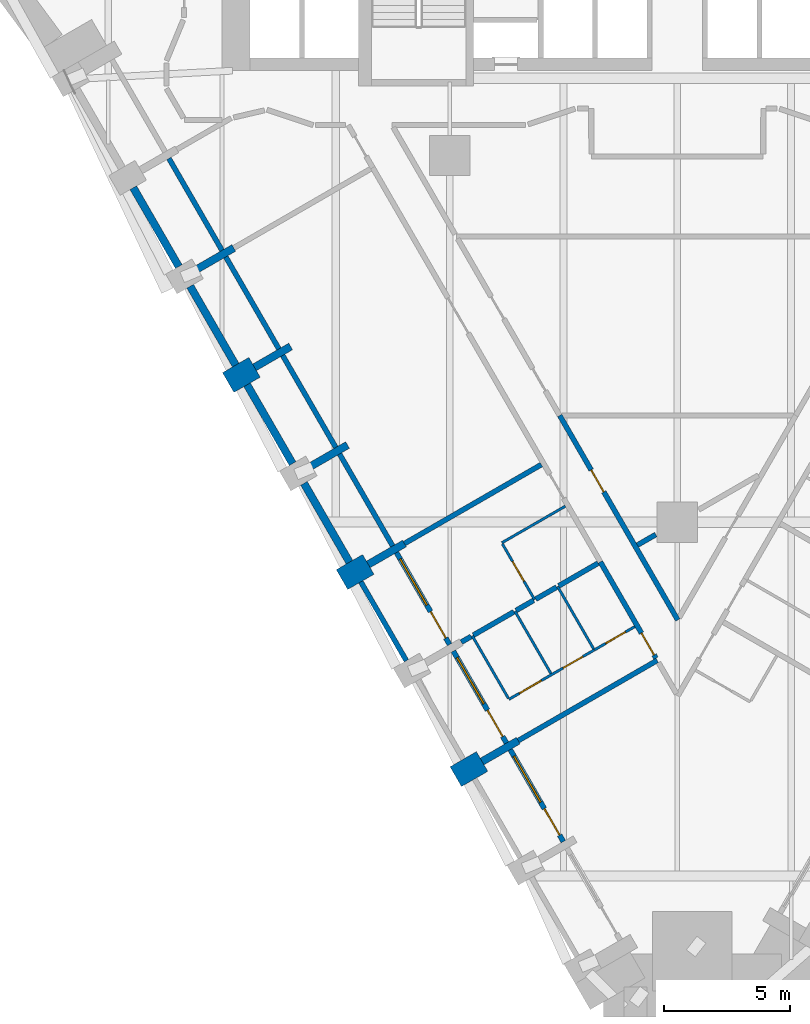
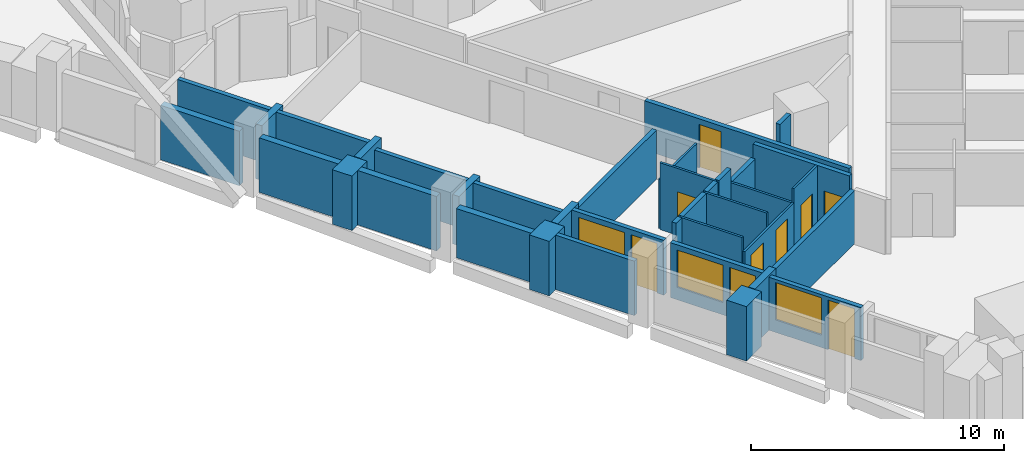
# One storey, part 3 of 11: 37 walls, 9 doors, 3 windows, 12 openings.
"""IFC4 building model written with IfcOpenShell, lengths in metres."""

from ifc_helpers import new_model, si_unit, direction, frame, frame_2d, origin, place, context, subcontext, project, spatial, rectangle, extrude, material, layer, layer_set, type_object, element, fill, save


model = new_model("IFC4")

# Units and contexts
model_context = context("Model", 3, precision=1e-05, world=origin(), true_north=direction((0.0, 1.0)))
body_context = subcontext(model_context, "Body", "Model", "MODEL_VIEW")
ifc_project = project(units=[si_unit("LENGTHUNIT", "METRE"), si_unit("AREAUNIT", "SQUARE_METRE"), si_unit("VOLUMEUNIT", "CUBIC_METRE"), si_unit("PLANEANGLEUNIT", "RADIAN"), si_unit("MASSUNIT", "GRAM", prefix="KILO")], contexts=[model_context])

# Site, building, storey
site_placement = place(None, origin())
site = spatial("IfcSite", under=ifc_project, at=site_placement, CompositionType="ELEMENT")
building_placement = place(site_placement, origin())
building = spatial("IfcBuilding", under=site, at=building_placement, Name="Calabash Gate Tower", CompositionType="ELEMENT")
storey_placement = place(building_placement, frame((0.0, 0.0, 73.199951171875)))
storey = spatial("IfcBuildingStorey", under=building, at=storey_placement, Name="L14", CompositionType="ELEMENT", Elevation=73.199951171875)

# Walls
ifc_material_1 = material(Name="Terracotta brick masonry, exposed face", Category="masonry")
ifc_layer_1 = layer(ifc_material_1, 1.199951171875)
ifc_layer_set_1 = layer_set([ifc_layer_1], Name="Brick end wall 1200")
wall_type_1 = type_object("IfcWallType", Name="Brick end wall 1200", PredefinedType="SOLIDWALL", material=ifc_layer_set_1)
for number, where, z_axis, x_axis, name in (
    (1, (-17.759033203125, -6.478759765625, 0.0), (0.0, 0.0, 1.0), (0.866006032174, 0.500033551112, 0.0), "Brick pier S03 SW0.3"),
    (2, (-13.259033203125, -14.27294921875, 0.0), (0.0, 0.0, 1.0), (0.866006032174, 0.500033551112, 0.0), "Brick pier S03 SW0.5"),
):
    element("IfcWall", number, at=place(storey_placement, frame(where, z_axis=z_axis, x_axis=x_axis)), inside=storey, type_object=wall_type_1, Name=name, PredefinedType="SOLIDWALL", context=body_context, shape_type="SweptSolid", body=[
        extrude(rectangle(XDim=1.2001953125, YDim=0.89990234375, at=frame_2d((0.60009765625, 0.0))), origin(), (0.0, 0.0, 1.0), 2.630126953125),
    ])
wall_1_placement = place(storey_placement, frame((-8.759033203125, -22.067138671875, 0.0), z_axis=(0.0, 0.0, 1.0), x_axis=(0.866094119867, 0.499880961361, 0.0)))
element("IfcWall", 3, at=wall_1_placement, inside=storey, type_object=wall_type_1, Name="Brick pier S03 SW0.7", PredefinedType="SOLIDWALL", context=body_context, shape_type="SweptSolid", body=[
    extrude(rectangle(XDim=1.199951171875, YDim=0.89990234375, at=frame_2d((0.60009765625, 0.0))), origin(), (0.0, 0.0, 1.0), 2.630126953125),
])
ifc_material_2 = material(Name="Terracotta brick masonry, exposed face", Category="masonry")
ifc_layer_2 = layer(ifc_material_2, 0.300048828125)
ifc_layer_set_2 = layer_set([ifc_layer_2], Name="Brick infill panel wall 300")
wall_type_2 = type_object("IfcWallType", Name="Brick infill panel wall 300", PredefinedType="SOLIDWALL", material=ifc_layer_set_2)
wall_2_placement = place(storey_placement, frame((-21.514404296875, 1.225830078125, 0.0), z_axis=(0.0, 0.0, 1.0), x_axis=(0.500012057535, -0.866018442252, 0.0)))
element("IfcWall", 4, at=wall_2_placement, inside=storey, type_object=wall_type_2, Name="Brick panel S03 SW0.2", PredefinedType="SOLIDWALL", context=body_context, shape_type="SweptSolid", body=[
    extrude(rectangle(XDim=3.60009765625, YDim=0.300048828125, at=frame_2d((1.800048828125, 0.0))), origin(), (0.0, 0.0, 1.0), 2.630126953125),
])
wall_3_placement = place(storey_placement, frame((-17.46435546875, -5.7890625, 0.0), z_axis=(0.0, 0.0, 1.0), x_axis=(-0.50001992892, 0.866013897511, 0.0)))
element("IfcWall", 5, at=wall_3_placement, inside=storey, type_object=wall_type_2, Name="Brick panel S03 SW0.3", PredefinedType="SOLIDWALL", context=body_context, shape_type="SweptSolid", body=[
    extrude(rectangle(XDim=3.599365234375, YDim=0.300048828125, at=frame_2d((1.7998046875, 0.0))), origin(), (0.0, 0.0, 1.0), 2.630126953125),
])
wall_4_placement = place(storey_placement, frame((-17.014404296875, -6.568359375, 0.0), z_axis=(0.0, 0.0, 1.0), x_axis=(0.500012057535, -0.866018442252, 0.0)))
element("IfcWall", 6, at=wall_4_placement, inside=storey, type_object=wall_type_2, Name="Brick panel S03 SW0.4", PredefinedType="SOLIDWALL", context=body_context, shape_type="SweptSolid", body=[
    extrude(rectangle(XDim=3.60009765625, YDim=0.300048828125, at=frame_2d((1.800048828125, 0.0))), origin(), (0.0, 0.0, 1.0), 2.630126953125),
])
wall_5_placement = place(storey_placement, frame((-12.96435546875, -13.583251953125, 0.0), z_axis=(0.0, 0.0, 1.0), x_axis=(-0.499990559667, 0.866030854095, 0.0)))
element("IfcWall", 7, at=wall_5_placement, inside=storey, type_object=wall_type_2, Name="Brick panel S03 SW0.5", PredefinedType="SOLIDWALL", context=body_context, shape_type="SweptSolid", body=[
    extrude(rectangle(XDim=3.599609375, YDim=0.300048828125, at=frame_2d((1.7998046875, 0.0))), origin(), (0.0, 0.0, 1.0), 2.3740234375),
])
ifc_material_3 = material(Name="Terracotta brick masonry, exposed face", Category="masonry")
ifc_layer_3 = layer(ifc_material_3, 0.300048828125)
ifc_layer_set_3 = layer_set([ifc_layer_3], Name="Brick loggia cheek wall 300")
wall_type_3 = type_object("IfcWallType", Name="Brick loggia cheek wall 300", PredefinedType="SOLIDWALL", material=ifc_layer_set_3)
for number, where, z_axis, x_axis, name in (
    (8, (-17.540771484375, -1.15673828125, 0.0), (0.0, 0.0, 1.0), (-0.866104278045, -0.499863360881, 0.0), "Loggia cheek S03 SW0.2"),
    (9, (-15.290771484375, -5.0537109375, 0.0), (0.0, 0.0, 1.0), (-0.866040211805, -0.499974350878, 0.0), "Loggia cheek S03 SW0.3"),
):
    element("IfcWall", number, at=place(storey_placement, frame(where, z_axis=z_axis, x_axis=x_axis)), inside=storey, type_object=wall_type_3, Name=name, PredefinedType="SOLIDWALL", context=body_context, shape_type="SweptSolid", body=[
        extrude(rectangle(XDim=1.64990234375, YDim=0.300048828125, at=frame_2d((0.824951171875, 0.0))), origin(), (0.0, 0.0, 1.0), 2.650146484375),
    ])
wall_6_placement = place(storey_placement, frame((-14.469482421875, -9.775634765625, 0.0), z_axis=(0.0, 0.0, 1.0), x_axis=(0.866067297121, 0.499927431592, 0.0)))
element("IfcWall", 10, at=wall_6_placement, inside=storey, type_object=wall_type_3, Name="Loggia cheek S03 SW0.4", PredefinedType="SOLIDWALL", context=body_context, shape_type="SweptSolid", body=[
    extrude(rectangle(XDim=1.649658203125, YDim=0.300048828125, at=frame_2d((0.82470703125, 0.0))), origin(), (0.0, 0.0, 1.0), 2.384033203125),
])
wall_7_placement = place(storey_placement, frame((-12.2197265625, -13.6728515625, 0.0), z_axis=(0.0, 0.0, 1.0), x_axis=(0.866040211805, 0.499974350878, 0.0)))
element("IfcWall", 11, at=wall_7_placement, inside=storey, type_object=wall_type_3, Name="Loggia cheek S03 SW0.5", PredefinedType="SOLIDWALL", context=body_context, shape_type="SweptSolid", body=[
    extrude(rectangle(XDim=1.64990234375, YDim=0.300048828125, at=frame_2d((0.824951171875, 0.0))), origin(), (0.0, 0.0, 1.0), 2.650146484375),
])
wall_8_placement = place(storey_placement, frame((-7.7197265625, -21.46728515625, 0.0), z_axis=(0.0, 0.0, 1.0), x_axis=(0.865976140824, 0.500085316245, 0.0)))
element("IfcWall", 12, at=wall_8_placement, inside=storey, type_object=wall_type_3, Name="Loggia cheek S03 SW0.7", PredefinedType="SOLIDWALL", context=body_context, shape_type="SweptSolid", body=[
    extrude(rectangle(XDim=1.650146484375, YDim=0.300048828125, at=frame_2d((0.8251953125, 0.0))), origin(), (0.0, 0.0, 1.0), 2.650146484375),
])

# Wall, openings, doors
ifc_material_4 = material(Name="Gypsum board on steel studs, mineral wool", Category="steel")
ifc_layer_4 = layer(ifc_material_4, 0.10009765625)
ifc_layer_set_4 = layer_set([ifc_layer_4], Name="Partition 100 gypsum board")
wall_type_4 = type_object("IfcWallType", Name="Partition 100 gypsum board", PredefinedType="PARTITIONING", material=ifc_layer_set_4)
wall_9_placement = place(storey_placement, frame((-6.656982421875, -19.008056640625, 0.0), z_axis=(0.0, 0.0, 1.0), x_axis=(0.865563469975, 0.50079924066, 0.0)))
wall_9 = element("IfcWall", 13, at=wall_9_placement, inside=storey, type_object=wall_type_4, Name="Partition", PredefinedType="PARTITIONING", context=body_context, shape_type="SweptSolid", body=[
    extrude(rectangle(XDim=3.89794921875, YDim=0.10009765625, at=frame_2d((1.948974609375, 0.0))), origin(), (0.0, 0.0, 1.0), 2.552001953125),
])
opening_1_placement = place(wall_9_placement, frame((2.47509765625, 0.0, 0.0)))
opening_1 = element("IfcOpeningElement", 14, at=opening_1_placement, cuts=wall_9, Name="Opening 12-14-017", PredefinedType="OPENING", context=body_context, shape_type="SweptSolid", body=[
    extrude(rectangle(XDim=0.89990234375, YDim=2.10009765625, at=frame_2d((0.449951171875, 1.050048828125))), frame((0.0, 0.06005859375, 0.0), z_axis=(0.0, -1.0, 0.0), x_axis=(1.0, 0.0, 0.0)), (0.0, 0.0, 1.0), 0.1201171875),
])
opening_2_placement = place(wall_9_placement, frame((0.474853515625, 0.0, 0.0)))
opening_2 = element("IfcOpeningElement", 15, at=opening_2_placement, cuts=wall_9, Name="Opening 12-14-018", PredefinedType="OPENING", context=body_context, shape_type="SweptSolid", body=[
    extrude(rectangle(XDim=1.0, YDim=2.10009765625, at=frame_2d((0.5, 1.050048828125))), frame((0.0, 0.06005859375, 0.0), z_axis=(0.0, -1.0, 0.0), x_axis=(1.0, 0.0, 0.0)), (0.0, 0.0, 1.0), 0.1201171875),
])
ifc_material_5 = material(Name="Painted timber door", Category="wood")
door_type_1 = type_object("IfcDoorType", Name="WD1 WC door 900x2100", OperationType="NOTDEFINED", PredefinedType="DOOR", material=ifc_material_5)
door_1_placement = place(opening_1_placement, origin())
door_1 = element("IfcDoor", 16, at=door_1_placement, inside=storey, type_object=door_type_1, Name="WC door", OperationType="SINGLE_SWING_RIGHT", OverallHeight=2.10009765625, OverallWidth=0.89990234375, PredefinedType="DOOR", context=body_context, shape_type="SweptSolid", body=[
    extrude(rectangle(XDim=0.89990234375, YDim=2.10009765625, at=frame_2d((0.449951171875, 1.050048828125))), frame((0.0, 0.02490234375, 0.0), z_axis=(0.0, -1.0, 0.0), x_axis=(1.0, 0.0, 0.0)), (0.0, 0.0, 1.0), 0.050048828125),
])
fill(opening_1, door_1)
ifc_material_6 = material(Name="Painted timber door", Category="wood")
door_type_2 = type_object("IfcDoorType", Name="WD2 Accessible WC door 1000x2100", OperationType="NOTDEFINED", PredefinedType="DOOR", material=ifc_material_6)
door_2_placement = place(opening_2_placement, origin())
door_2 = element("IfcDoor", 17, at=door_2_placement, inside=storey, type_object=door_type_2, Name="Accessible WC door", OperationType="SINGLE_SWING_LEFT", OverallHeight=2.10009765625, OverallWidth=1.0, PredefinedType="DOOR", context=body_context, shape_type="SweptSolid", body=[
    extrude(rectangle(XDim=1.0, YDim=2.10009765625, at=frame_2d((0.5, 1.050048828125))), frame((0.0, 0.02490234375, 0.0), z_axis=(0.0, -1.0, 0.0), x_axis=(1.0, 0.0, 0.0)), (0.0, 0.0, 1.0), 0.050048828125),
])
fill(opening_2, door_2)

# Wall
wall_10_placement = place(storey_placement, frame((-6.420654296875, -15.521240234375, 0.0), z_axis=(0.0, 0.0, 1.0), x_axis=(0.499972122318, -0.866041498374, 0.0)))
element("IfcWall", 18, at=wall_10_placement, inside=storey, type_object=wall_type_4, Name="Partition", PredefinedType="PARTITIONING", context=body_context, shape_type="SweptSolid", body=[
    extrude(rectangle(XDim=2.849853515625, YDim=0.10009765625, at=frame_2d((1.4248046875, 0.0))), origin(), (0.0, 0.0, 1.0), 3.22998046875),
])

# Wall, opening, door
wall_11_placement = place(storey_placement, frame((-3.280517578125, -17.056396484375, 0.0), z_axis=(0.0, 0.0, 1.0), x_axis=(0.866058118026, 0.49994333299, 0.0)))
wall_11 = element("IfcWall", 19, at=wall_11_placement, inside=storey, type_object=wall_type_4, Name="Partition", PredefinedType="PARTITIONING", context=body_context, shape_type="SweptSolid", body=[
    extrude(rectangle(XDim=1.849853515625, YDim=0.10009765625, at=frame_2d((0.9248046875, 0.0))), origin(), (0.0, 0.0, 1.0), 3.22998046875),
])
opening_3_placement = place(wall_11_placement, frame((0.52490234375, 0.0, 0.0)))
opening_3 = element("IfcOpeningElement", 20, at=opening_3_placement, cuts=wall_11, Name="Opening 12-14-016", PredefinedType="OPENING", context=body_context, shape_type="SweptSolid", body=[
    extrude(rectangle(XDim=0.89990234375, YDim=2.10009765625, at=frame_2d((0.449951171875, 1.050048828125))), frame((0.0, 0.06005859375, 0.0), z_axis=(0.0, -1.0, 0.0), x_axis=(1.0, 0.0, 0.0)), (0.0, 0.0, 1.0), 0.1201171875),
])
door_3_placement = place(opening_3_placement, origin())
door_3 = element("IfcDoor", 21, at=door_3_placement, inside=storey, type_object=door_type_1, Name="WC door", OperationType="SINGLE_SWING_RIGHT", OverallHeight=2.10009765625, OverallWidth=0.89990234375, PredefinedType="DOOR", context=body_context, shape_type="SweptSolid", body=[
    extrude(rectangle(XDim=0.89990234375, YDim=2.10009765625, at=frame_2d((0.449951171875, 1.050048828125))), frame((0.0, 0.02490234375, 0.0), z_axis=(0.0, -1.0, 0.0), x_axis=(1.0, 0.0, 0.0)), (0.0, 0.0, 1.0), 0.050048828125),
])
fill(opening_3, door_3)

# Walls
wall_12_placement = place(storey_placement, frame((-4.73193359375, -14.546142578125, 0.0), z_axis=(0.0, 0.0, 1.0), x_axis=(0.499972122318, -0.866041498374, 0.0)))
element("IfcWall", 22, at=wall_12_placement, inside=storey, type_object=wall_type_4, Name="Partition", PredefinedType="PARTITIONING", context=body_context, shape_type="SweptSolid", body=[
    extrude(rectangle(XDim=2.849853515625, YDim=0.10009765625, at=frame_2d((1.4248046875, 0.0))), origin(), (0.0, 0.0, 1.0), 2.552001953125),
])
wall_13_placement = place(storey_placement, frame((-8.107666015625, -16.4951171875, 0.0), z_axis=(0.0, 0.0, 1.0), x_axis=(0.499969479948, -0.866043023828, 0.0)))
element("IfcWall", 23, at=wall_13_placement, inside=storey, type_object=wall_type_4, Name="Partition", PredefinedType="PARTITIONING", context=body_context, shape_type="SweptSolid", body=[
    extrude(rectangle(XDim=2.851806640625, YDim=0.10009765625, at=frame_2d((1.42578125, 0.0))), origin(), (0.0, 0.0, 1.0), 3.22998046875),
])

# Wall, opening, door
wall_14_placement = place(storey_placement, frame((-6.914794921875, -12.86181640625, 0.0), z_axis=(0.0, 0.0, 1.0), x_axis=(0.500062241894, -0.865989465428, 0.0)))
wall_14 = element("IfcWall", 24, at=wall_14_placement, inside=storey, type_object=wall_type_4, Name="Partition", PredefinedType="PARTITIONING", context=body_context, shape_type="SweptSolid", body=[
    extrude(rectangle(XDim=2.550048828125, YDim=0.10009765625, at=frame_2d((1.27490234375, 0.0))), origin(), (0.0, 0.0, 1.0), 3.22998046875),
])
opening_4_placement = place(wall_14_placement, frame((0.800048828125, 0.0, 0.0)))
opening_4 = element("IfcOpeningElement", 25, at=opening_4_placement, cuts=wall_14, Name="Opening 12-14-003", PredefinedType="OPENING", context=body_context, shape_type="SweptSolid", body=[
    extrude(rectangle(XDim=0.89990234375, YDim=2.10009765625, at=frame_2d((0.449951171875, 1.050048828125))), frame((0.0, 0.06005859375, 0.0), z_axis=(0.0, -1.0, 0.0), x_axis=(1.0, 0.0, 0.0)), (0.0, 0.0, 1.0), 0.1201171875),
])
ifc_material_7 = material(Name="Painted timber door", Category="wood")
door_type_3 = type_object("IfcDoorType", Name="GD6 Accessible en-suite door 900x2100", OperationType="NOTDEFINED", PredefinedType="DOOR", material=ifc_material_7)
door_4_placement = place(opening_4_placement, origin())
door_4 = element("IfcDoor", 26, at=door_4_placement, inside=storey, type_object=door_type_3, Name="Accessible en-suite door", OperationType="SINGLE_SWING_LEFT", OverallHeight=2.10009765625, OverallWidth=0.89990234375, PredefinedType="DOOR", context=body_context, shape_type="SweptSolid", body=[
    extrude(rectangle(XDim=0.89990234375, YDim=2.10009765625, at=frame_2d((0.449951171875, 1.050048828125))), frame((0.0, 0.02490234375, 0.0), z_axis=(0.0, -1.0, 0.0), x_axis=(1.0, 0.0, 0.0)), (0.0, 0.0, 1.0), 0.050048828125),
])
fill(opening_4, door_4)

# Walls
wall_15_placement = place(storey_placement, frame((-6.939697265625, -12.818359375, 0.0), z_axis=(0.0, 0.0, 1.0), x_axis=(0.866314505181, 0.49949892704, 0.0)))
element("IfcWall", 27, at=wall_15_placement, inside=storey, type_object=wall_type_4, Name="Partition", PredefinedType="PARTITIONING", context=body_context, shape_type="SweptSolid", body=[
    extrude(rectangle(XDim=2.89990234375, YDim=0.10009765625, at=frame_2d((1.449951171875, 0.0))), origin(), (0.0, 0.0, 1.0), 2.3740234375),
])
ifc_material_8 = material(Name="Gypsum board on steel studs, mineral wool", Category="steel")
ifc_layer_5 = layer(ifc_material_8, 0.199951171875)
ifc_layer_set_5 = layer_set([ifc_layer_5], Name="Partition 200 gypsum board EI 60")
wall_type_5 = type_object("IfcWallType", Name="Partition 200 gypsum board EI 60", PredefinedType="PARTITIONING", material=ifc_layer_set_5)
wall_16_placement = place(storey_placement, frame((-6.291015625, -20.64208984375, 0.0), z_axis=(0.0, 0.0, 1.0), x_axis=(0.86590949515, 0.500200705926, 0.0)))
element("IfcWall", 28, at=wall_16_placement, inside=storey, type_object=wall_type_5, Name="Partition", PredefinedType="PARTITIONING", context=body_context, shape_type="SweptSolid", body=[
    extrude(rectangle(XDim=6.34814453125, YDim=0.199951171875, at=frame_2d((3.174072265625, 0.0))), origin(), (0.0, 0.0, 1.0), 2.552001953125),
])

# Wall, opening, door
wall_17_placement = place(storey_placement, frame((-3.042236328125, -13.57275390625, 0.0), z_axis=(0.0, 0.0, 1.0), x_axis=(0.49998522367, -0.866033934735, 0.0)))
wall_17 = element("IfcWall", 29, at=wall_17_placement, inside=storey, type_object=wall_type_5, Name="Partition", PredefinedType="PARTITIONING", context=body_context, shape_type="SweptSolid", body=[
    extrude(rectangle(XDim=4.396728515625, YDim=0.199951171875, at=frame_2d((2.1982421875, 0.0))), origin(), (0.0, 0.0, 1.0), 3.22998046875),
])
opening_5_placement = place(wall_17_placement, frame((3.25, 0.0, 0.0)))
opening_5 = element("IfcOpeningElement", 30, at=opening_5_placement, cuts=wall_17, Name="Opening 12-14-015", PredefinedType="OPENING", context=body_context, shape_type="SweptSolid", body=[
    extrude(rectangle(XDim=1.0, YDim=2.10009765625, at=frame_2d((0.5, 1.050048828125))), frame((0.0, 0.10986328125, 0.0), z_axis=(0.0, -1.0, 0.0), x_axis=(1.0, 0.0, 0.0)), (0.0, 0.0, 1.0), 0.219970703125),
])
ifc_material_9 = material(Name="Steel fire door set with fire-resisting glazing", Category="steel")
door_type_4 = type_object("IfcDoorType", Name="WD3 WC lobby door 1000x2100", OperationType="NOTDEFINED", PredefinedType="DOOR", material=ifc_material_9)
door_5_placement = place(opening_5_placement, origin())
door_5 = element("IfcDoor", 31, at=door_5_placement, inside=storey, type_object=door_type_4, Name="WC lobby door", OperationType="SINGLE_SWING_LEFT", OverallHeight=2.10009765625, OverallWidth=1.0, PredefinedType="DOOR", context=body_context, shape_type="SweptSolid", body=[
    extrude(rectangle(XDim=1.0, YDim=2.10009765625, at=frame_2d((0.5, 1.050048828125))), frame((0.0, 0.02490234375, 0.0), z_axis=(0.0, -1.0, 0.0), x_axis=(1.0, 0.0, 0.0)), (0.0, 0.0, 1.0), 0.050048828125),
])
fill(opening_5, door_5)

# Walls
wall_18_placement = place(storey_placement, frame((-8.540771484375, -16.7451171875, 0.0), z_axis=(0.0, 0.0, 1.0), x_axis=(0.867942353255, 0.496664948861, 0.0)))
element("IfcWall", 32, at=wall_18_placement, inside=storey, type_object=wall_type_5, Name="Partition", PredefinedType="PARTITIONING", context=body_context, shape_type="SweptSolid", body=[
    extrude(rectangle(XDim=0.44970703125, YDim=0.199951171875, at=frame_2d((0.224853515625, 0.0))), origin(), (0.0, 0.0, 1.0), 3.22998046875),
])
wall_19_placement = place(storey_placement, frame((-8.064453125, -16.47021484375, 0.0), z_axis=(0.0, 0.0, 1.0), x_axis=(0.866499636502, 0.49917770377, 0.0)))
element("IfcWall", 33, at=wall_19_placement, inside=storey, type_object=wall_type_5, Name="Partition", PredefinedType="PARTITIONING", context=body_context, shape_type="SweptSolid", body=[
    extrude(rectangle(XDim=1.849609375, YDim=0.199951171875, at=frame_2d((0.9248046875, 0.0))), origin(), (0.0, 0.0, 1.0), 3.22998046875),
])
wall_20_placement = place(storey_placement, frame((-6.375732421875, -15.4951171875, 0.0), z_axis=(0.0, 0.0, 1.0), x_axis=(0.866155162719, 0.499775183552, 0.0)))
element("IfcWall", 34, at=wall_20_placement, inside=storey, type_object=wall_type_5, Name="Partition", PredefinedType="PARTITIONING", context=body_context, shape_type="SweptSolid", body=[
    extrude(rectangle(XDim=0.801513671875, YDim=0.199951171875, at=frame_2d((0.40087890625, 0.0))), origin(), (0.0, 0.0, 1.0), 3.22998046875),
])
wall_21_placement = place(storey_placement, frame((-5.597900390625, -15.04638671875, 0.0), z_axis=(0.0, 0.0, 1.0), x_axis=(0.866787114338, 0.498678351664, 0.0)))
element("IfcWall", 35, at=wall_21_placement, inside=storey, type_object=wall_type_5, Name="Partition", PredefinedType="PARTITIONING", context=body_context, shape_type="SweptSolid", body=[
    extrude(rectangle(XDim=0.95166015625, YDim=0.199951171875, at=frame_2d((0.475830078125, 0.0))), origin(), (0.0, 0.0, 1.0), 3.22998046875),
])
wall_22_placement = place(storey_placement, frame((-4.68701171875, -14.520263671875, 0.0), z_axis=(0.0, 0.0, 1.0), x_axis=(0.866533485277, 0.499118942632, 0.0)))
element("IfcWall", 36, at=wall_22_placement, inside=storey, type_object=wall_type_5, Name="Partition", PredefinedType="PARTITIONING", context=body_context, shape_type="SweptSolid", body=[
    extrude(rectangle(XDim=1.798095703125, YDim=0.199951171875, at=frame_2d((0.89892578125, 0.0))), origin(), (0.0, 0.0, 1.0), 2.552001953125),
])
wall_23_placement = place(storey_placement, frame((-1.576171875, -12.907958984375, 0.0), z_axis=(0.0, 0.0, 1.0), x_axis=(0.866912601189, 0.498460170825, 0.0)))
element("IfcWall", 37, at=wall_23_placement, inside=storey, type_object=wall_type_5, Name="Partition", PredefinedType="PARTITIONING", context=body_context, shape_type="SweptSolid", body=[
    extrude(rectangle(XDim=0.837646484375, YDim=0.199951171875, at=frame_2d((0.4189453125, 0.0))), origin(), (0.0, 0.0, 1.0), 3.22998046875),
])
wall_24_placement = place(storey_placement, frame((-10.790771484375, -12.84814453125, 0.0), z_axis=(0.0, 0.0, 1.0), x_axis=(0.866170627668, 0.499748380452, 0.0)))
element("IfcWall", 38, at=wall_24_placement, inside=storey, type_object=wall_type_5, Name="Partition", PredefinedType="PARTITIONING", context=body_context, shape_type="SweptSolid", body=[
    extrude(rectangle(XDim=6.249755859375, YDim=0.199951171875, at=frame_2d((3.125, 0.0))), origin(), (0.0, 0.0, 1.0), 2.3740234375),
])

# Wall, opening, door
wall_25_placement = place(storey_placement, frame((-4.64892578125, -7.7822265625, 0.0), z_axis=(0.0, 0.0, 1.0), x_axis=(0.500018878653, -0.866014503915, 0.0)))
wall_25 = element("IfcWall", 39, at=wall_25_placement, inside=storey, type_object=wall_type_5, Name="Partition", PredefinedType="PARTITIONING", context=body_context, shape_type="SweptSolid", body=[
    extrude(rectangle(XDim=9.339599609375, YDim=0.199951171875, at=frame_2d((4.669921875, 0.0))), origin(), (0.0, 0.0, 1.0), 2.3740234375),
])
opening_6_placement = place(wall_25_placement, frame((2.48779296875, 0.0, 0.0)))
opening_6 = element("IfcOpeningElement", 40, at=opening_6_placement, cuts=wall_25, Name="Opening 12-14-013", PredefinedType="OPENING", context=body_context, shape_type="SweptSolid", body=[
    extrude(rectangle(XDim=1.0, YDim=2.10009765625, at=frame_2d((0.5, 1.050048828125))), frame((0.0, 0.10986328125, 0.0), z_axis=(0.0, -1.0, 0.0), x_axis=(1.0, 0.0, 0.0)), (0.0, 0.0, 1.0), 0.219970703125),
])
ifc_material_10 = material(Name="Steel fire door set with fire-resisting glazing", Category="steel")
door_type_5 = type_object("IfcDoorType", Name="LD2 Meeting room door 1000x2100", OperationType="NOTDEFINED", PredefinedType="DOOR", material=ifc_material_10)
door_6_placement = place(opening_6_placement, origin())
door_6 = element("IfcDoor", 41, at=door_6_placement, inside=storey, type_object=door_type_5, Name="Meeting room door", OperationType="SINGLE_SWING_LEFT", OverallHeight=2.10009765625, OverallWidth=1.0, PredefinedType="DOOR", context=body_context, shape_type="SweptSolid", body=[
    extrude(rectangle(XDim=1.0, YDim=2.10009765625, at=frame_2d((0.5, 1.050048828125))), frame((0.0, 0.02490234375, 0.0), z_axis=(0.0, -1.0, 0.0), x_axis=(1.0, 0.0, 0.0)), (0.0, 0.0, 1.0), 0.050048828125),
])
fill(opening_6, door_6)

# Walls
ifc_material_11 = material(Name="Terracotta brick masonry, perforated", Category="masonry")
ifc_layer_6 = layer(ifc_material_11, 0.199951171875)
ifc_layer_set_6 = layer_set([ifc_layer_6], Name="Terracotta jaali screen A")
wall_type_6 = type_object("IfcWallType", Name="Terracotta jaali screen A", PredefinedType="SOLIDWALL", material=ifc_layer_set_6)
wall_26_placement = place(storey_placement, frame((-12.514404296875, -14.362548828125, 0.0), z_axis=(0.0, 0.0, 1.0), x_axis=(0.499982693035, -0.866035395735, 0.0)))
element("IfcWall", 42, at=wall_26_placement, inside=storey, type_object=wall_type_6, Name="SCREEN A S03 SW0.6", PredefinedType="SOLIDWALL", context=body_context, shape_type="SweptSolid", body=[
    extrude(rectangle(XDim=3.600341796875, YDim=0.199951171875, at=frame_2d((1.80029296875, 0.0))), origin(), (0.0, 0.0, 1.0), 2.630126953125),
])
ifc_material_12 = material(Name="Aluminium framed window wall with insulated spandrel", Category="aluminium")
ifc_layer_7 = layer(ifc_material_12, 0.199951171875)
ifc_layer_set_7 = layer_set([ifc_layer_7], Name="Window wall 200")
wall_type_7 = type_object("IfcWallType", Name="Window wall 200", PredefinedType="ELEMENTEDWALL", material=ifc_layer_set_7)
for number, where, z_axis, x_axis, name in (
    (43, (-20.10546875, 2.385498046875, 0.0), (0.0, 0.0, 1.0), (0.49998411664, -0.866034573852, 0.0), "Window wall S03 SW0.2"),
    (44, (-17.85546875, -1.511474609375, 0.0), (0.0, 0.0, 1.0), (0.499958946799, -0.866049104564, 0.0), "Window wall S03 SW0.3"),
):
    element("IfcWall", number, at=place(storey_placement, frame(where, z_axis=z_axis, x_axis=x_axis)), inside=storey, type_object=wall_type_7, Name=name, PredefinedType="ELEMENTEDWALL", context=body_context, shape_type="SweptSolid", body=[
        extrude(rectangle(XDim=4.199951171875, YDim=0.199951171875, at=frame_2d((2.10009765625, 0.0))), origin(), (0.0, 0.0, 1.0), 2.650146484375),
    ])
wall_27_placement = place(storey_placement, frame((-15.60546875, -5.40869140625, 0.0), z_axis=(0.0, 0.0, 1.0), x_axis=(0.49998411664, -0.866034573852, 0.0)))
element("IfcWall", 45, at=wall_27_placement, inside=storey, type_object=wall_type_7, Name="Window wall S03 SW0.4", PredefinedType="ELEMENTEDWALL", context=body_context, shape_type="SweptSolid", body=[
    extrude(rectangle(XDim=4.199951171875, YDim=0.199951171875, at=frame_2d((2.10009765625, 0.0))), origin(), (0.0, 0.0, 1.0), 2.384033203125),
])
wall_28_placement = place(storey_placement, frame((-13.35546875, -9.3056640625, 0.0), z_axis=(0.0, 0.0, 1.0), x_axis=(0.499958946799, -0.866049104564, 0.0)))
element("IfcWall", 46, at=wall_28_placement, inside=storey, type_object=wall_type_7, Name="Window wall S03 SW0.5", PredefinedType="ELEMENTEDWALL", context=body_context, shape_type="SweptSolid", body=[
    extrude(rectangle(XDim=4.199951171875, YDim=0.199951171875, at=frame_2d((2.10009765625, 0.0))), origin(), (0.0, 0.0, 1.0), 2.3740234375),
])

# Wall, openings, door, window
wall_29_placement = place(storey_placement, frame((-11.10546875, -13.202880859375, 0.0), z_axis=(0.0, 0.0, 1.0), x_axis=(0.49998411664, -0.866034573852, 0.0)))
wall_29 = element("IfcWall", 47, at=wall_29_placement, inside=storey, type_object=wall_type_7, Name="Window wall S03 SW0.6", PredefinedType="ELEMENTEDWALL", context=body_context, shape_type="SweptSolid", body=[
    extrude(rectangle(XDim=4.199951171875, YDim=0.199951171875, at=frame_2d((2.10009765625, 0.0))), origin(), (0.0, 0.0, 1.0), 2.650146484375),
])
opening_7_placement = place(wall_29_placement, frame((0.300048828125, 0.0, 0.60009765625)))
opening_7 = element("IfcOpeningElement", 48, at=opening_7_placement, cuts=wall_29, Name="Opening HW1", PredefinedType="OPENING", context=body_context, shape_type="SweptSolid", body=[
    extrude(rectangle(XDim=2.10009765625, YDim=1.800048828125, at=frame_2d((1.050048828125, 0.89990234375))), frame((0.0, 0.10986328125, 0.0), z_axis=(0.0, -1.0, 0.0), x_axis=(1.0, 0.0, 0.0)), (0.0, 0.0, 1.0), 0.219970703125),
])
opening_8_placement = place(wall_29_placement, frame((2.699951171875, 0.0, 0.0)))
opening_8 = element("IfcOpeningElement", 49, at=opening_8_placement, cuts=wall_29, Name="Opening H3-025", PredefinedType="OPENING", context=body_context, shape_type="SweptSolid", body=[
    extrude(rectangle(XDim=1.199951171875, YDim=2.39990234375, at=frame_2d((0.60009765625, 1.199951171875))), frame((0.0, 0.10986328125, 0.0), z_axis=(0.0, -1.0, 0.0), x_axis=(1.0, 0.0, 0.0)), (0.0, 0.0, 1.0), 0.219970703125),
])
ifc_material_13 = material(Name="Anodised aluminium frame, bronze finish, impact-rated laminated clear glazing", Category="aluminium")
door_type_6 = type_object("IfcDoorType", Name="Loggia door DH1 1200x2400", OperationType="SLIDING_TO_LEFT", PredefinedType="DOOR", material=ifc_material_13)
door_7_placement = place(opening_8_placement, origin())
door_7 = element("IfcDoor", 50, at=door_7_placement, inside=storey, type_object=door_type_6, Name="Loggia door S03 SW0.6", OperationType="SINGLE_SWING_LEFT", OverallHeight=2.39990234375, OverallWidth=1.199951171875, PredefinedType="DOOR", context=body_context, shape_type="SweptSolid", body=[
    extrude(rectangle(XDim=1.199951171875, YDim=2.39990234375, at=frame_2d((0.60009765625, 1.199951171875))), frame((0.0, 0.02490234375, 0.0), z_axis=(0.0, -1.0, 0.0), x_axis=(1.0, 0.0, 0.0)), (0.0, 0.0, 1.0), 0.050048828125),
])
fill(opening_8, door_7)
ifc_material_14 = material(Name="Anodised aluminium frame, bronze finish, impact-rated laminated clear glazing", Category="aluminium")
window_type = type_object("IfcWindowType", Name="Window HW1 2100x1800", PartitioningType="DOUBLE_PANEL_VERTICAL", PredefinedType="WINDOW", material=ifc_material_14)
window_1_placement = place(opening_7_placement, origin())
window_1 = element("IfcWindow", 51, at=window_1_placement, inside=storey, type_object=window_type, Name="Window HW1 S03 SW0.6", OverallHeight=1.800048828125, OverallWidth=2.10009765625, PartitioningType="SINGLE_PANEL", PredefinedType="WINDOW", context=body_context, shape_type="SweptSolid", body=[
    extrude(rectangle(XDim=2.10009765625, YDim=1.800048828125, at=frame_2d((1.050048828125, 0.89990234375))), frame((0.0, 0.030029296875, 0.0), z_axis=(0.0, -1.0, 0.0), x_axis=(1.0, 0.0, 0.0)), (0.0, 0.0, 1.0), 0.06005859375),
])
fill(opening_7, window_1)

wall_30_placement = place(storey_placement, frame((-8.85546875, -17.10009765625, 0.0), z_axis=(0.0, 0.0, 1.0), x_axis=(0.49998411664, -0.866034573852, 0.0)))
wall_30 = element("IfcWall", 52, at=wall_30_placement, inside=storey, type_object=wall_type_7, Name="Window wall S03 SW0.7", PredefinedType="ELEMENTEDWALL", context=body_context, shape_type="SweptSolid", body=[
    extrude(rectangle(XDim=4.199951171875, YDim=0.199951171875, at=frame_2d((2.10009765625, 0.0))), origin(), (0.0, 0.0, 1.0), 2.650146484375),
])
opening_9_placement = place(wall_30_placement, frame((0.300048828125, 0.0, 0.60009765625)))
opening_9 = element("IfcOpeningElement", 53, at=opening_9_placement, cuts=wall_30, Name="Opening HW1", PredefinedType="OPENING", context=body_context, shape_type="SweptSolid", body=[
    extrude(rectangle(XDim=2.10009765625, YDim=1.800048828125, at=frame_2d((1.050048828125, 0.89990234375))), frame((0.0, 0.10986328125, 0.0), z_axis=(0.0, -1.0, 0.0), x_axis=(1.0, 0.0, 0.0)), (0.0, 0.0, 1.0), 0.219970703125),
])
opening_10_placement = place(wall_30_placement, frame((2.699951171875, 0.0, 0.0)))
opening_10 = element("IfcOpeningElement", 54, at=opening_10_placement, cuts=wall_30, Name="Opening H3-026", PredefinedType="OPENING", context=body_context, shape_type="SweptSolid", body=[
    extrude(rectangle(XDim=1.199951171875, YDim=2.39990234375, at=frame_2d((0.60009765625, 1.199951171875))), frame((0.0, 0.10986328125, 0.0), z_axis=(0.0, -1.0, 0.0), x_axis=(1.0, 0.0, 0.0)), (0.0, 0.0, 1.0), 0.219970703125),
])
door_8_placement = place(opening_10_placement, origin())
door_8 = element("IfcDoor", 55, at=door_8_placement, inside=storey, type_object=door_type_6, Name="Loggia door S03 SW0.7", OperationType="SINGLE_SWING_LEFT", OverallHeight=2.39990234375, OverallWidth=1.199951171875, PredefinedType="DOOR", context=body_context, shape_type="SweptSolid", body=[
    extrude(rectangle(XDim=1.199951171875, YDim=2.39990234375, at=frame_2d((0.60009765625, 1.199951171875))), frame((0.0, 0.02490234375, 0.0), z_axis=(0.0, -1.0, 0.0), x_axis=(1.0, 0.0, 0.0)), (0.0, 0.0, 1.0), 0.050048828125),
])
fill(opening_10, door_8)
window_2_placement = place(opening_9_placement, origin())
window_2 = element("IfcWindow", 56, at=window_2_placement, inside=storey, type_object=window_type, Name="Window HW1 S03 SW0.7", OverallHeight=1.800048828125, OverallWidth=2.10009765625, PartitioningType="SINGLE_PANEL", PredefinedType="WINDOW", context=body_context, shape_type="SweptSolid", body=[
    extrude(rectangle(XDim=2.10009765625, YDim=1.800048828125, at=frame_2d((1.050048828125, 0.89990234375))), frame((0.0, 0.030029296875, 0.0), z_axis=(0.0, -1.0, 0.0), x_axis=(1.0, 0.0, 0.0)), (0.0, 0.0, 1.0), 0.06005859375),
])
fill(opening_9, window_2)

wall_31_placement = place(storey_placement, frame((-6.60546875, -20.9970703125, 0.0), z_axis=(0.0, 0.0, 1.0), x_axis=(0.49998411664, -0.866034573852, 0.0)))
wall_31 = element("IfcWall", 57, at=wall_31_placement, inside=storey, type_object=wall_type_7, Name="Window wall S03 SW0.8", PredefinedType="ELEMENTEDWALL", context=body_context, shape_type="SweptSolid", body=[
    extrude(rectangle(XDim=4.199951171875, YDim=0.199951171875, at=frame_2d((2.10009765625, 0.0))), origin(), (0.0, 0.0, 1.0), 2.552001953125),
])
opening_11_placement = place(wall_31_placement, frame((0.300048828125, 0.0, 0.60009765625)))
opening_11 = element("IfcOpeningElement", 58, at=opening_11_placement, cuts=wall_31, Name="Opening HW1", PredefinedType="OPENING", context=body_context, shape_type="SweptSolid", body=[
    extrude(rectangle(XDim=2.10009765625, YDim=1.800048828125, at=frame_2d((1.050048828125, 0.89990234375))), frame((0.0, 0.10986328125, 0.0), z_axis=(0.0, -1.0, 0.0), x_axis=(1.0, 0.0, 0.0)), (0.0, 0.0, 1.0), 0.219970703125),
])
opening_12_placement = place(wall_31_placement, frame((2.699951171875, 0.0, 0.0)))
opening_12 = element("IfcOpeningElement", 59, at=opening_12_placement, cuts=wall_31, Name="Opening H3-027", PredefinedType="OPENING", context=body_context, shape_type="SweptSolid", body=[
    extrude(rectangle(XDim=1.199951171875, YDim=2.39990234375, at=frame_2d((0.60009765625, 1.199951171875))), frame((0.0, 0.10986328125, 0.0), z_axis=(0.0, -1.0, 0.0), x_axis=(1.0, 0.0, 0.0)), (0.0, 0.0, 1.0), 0.219970703125),
])
door_9_placement = place(opening_12_placement, origin())
door_9 = element("IfcDoor", 60, at=door_9_placement, inside=storey, type_object=door_type_6, Name="Loggia door S03 SW0.8", OperationType="SINGLE_SWING_LEFT", OverallHeight=2.39990234375, OverallWidth=1.199951171875, PredefinedType="DOOR", context=body_context, shape_type="SweptSolid", body=[
    extrude(rectangle(XDim=1.199951171875, YDim=2.39990234375, at=frame_2d((0.60009765625, 1.199951171875))), frame((0.0, 0.02490234375, 0.0), z_axis=(0.0, -1.0, 0.0), x_axis=(1.0, 0.0, 0.0)), (0.0, 0.0, 1.0), 0.050048828125),
])
fill(opening_12, door_9)
window_3_placement = place(opening_11_placement, origin())
window_3 = element("IfcWindow", 61, at=window_3_placement, inside=storey, type_object=window_type, Name="Window HW1 S03 SW0.8", OverallHeight=1.800048828125, OverallWidth=2.10009765625, PartitioningType="SINGLE_PANEL", PredefinedType="WINDOW", context=body_context, shape_type="SweptSolid", body=[
    extrude(rectangle(XDim=2.10009765625, YDim=1.800048828125, at=frame_2d((1.050048828125, 0.89990234375))), frame((0.0, 0.030029296875, 0.0), z_axis=(0.0, -1.0, 0.0), x_axis=(1.0, 0.0, 0.0)), (0.0, 0.0, 1.0), 0.06005859375),
])
fill(opening_11, window_3)

save(model, "model.ifc")
